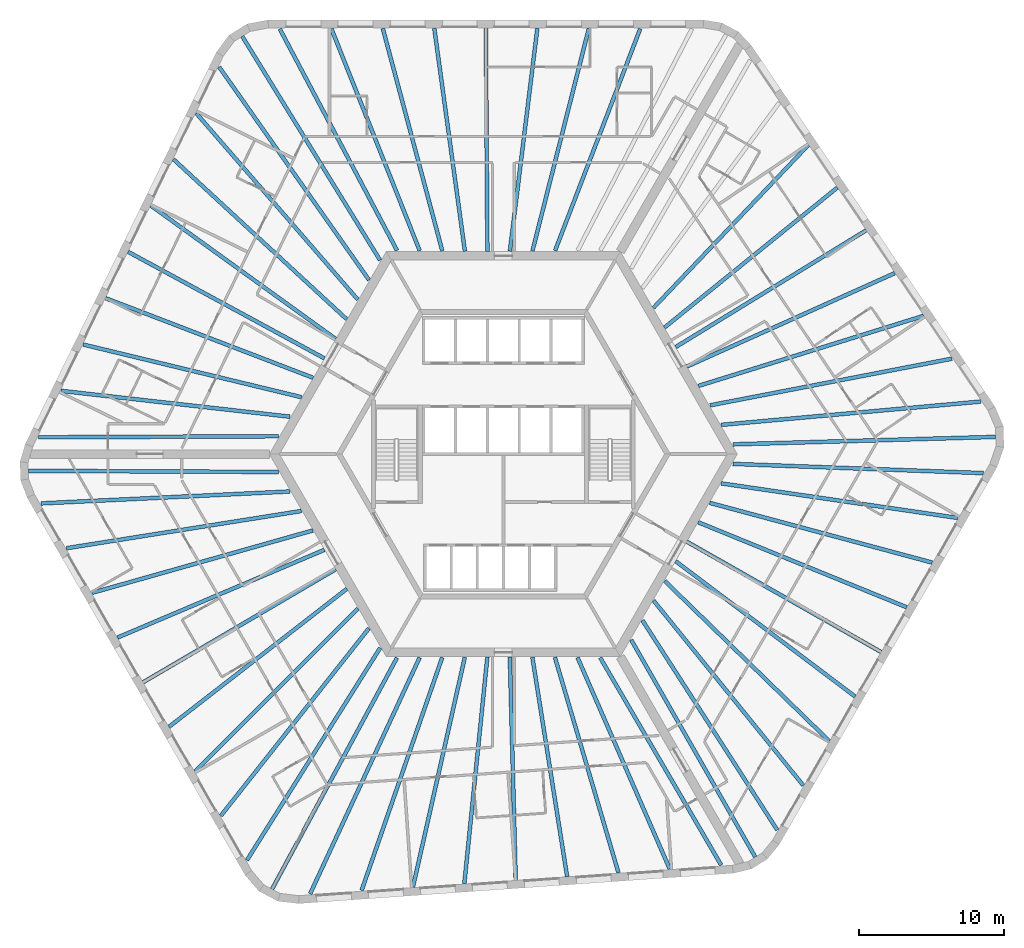
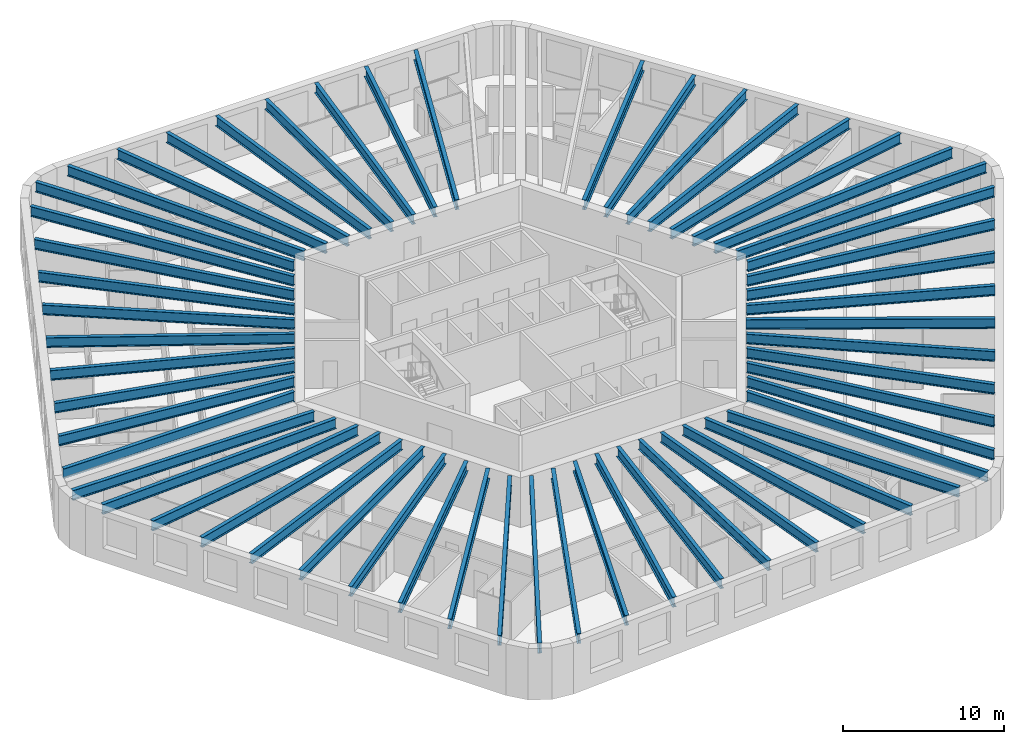
# One storey, part 1 of 12: 56 beams.
"""IFC4 building model written with IfcOpenShell, lengths in metres."""

from ifc_helpers import new_model, si_unit, direction, frame, origin, origin_2d, place, context, subcontext, project, spatial, i_section, extrude, material, material_profile, profile_set, type_object, element, save


model = new_model("IFC4")

# Units and contexts
model_context = context("Model", 3, precision=1e-05, world=origin(), true_north=direction((0.0, 1.0)))
body_context = subcontext(model_context, "Body", "Model", "MODEL_VIEW")
ifc_project = project(units=[si_unit("LENGTHUNIT", "METRE"), si_unit("AREAUNIT", "SQUARE_METRE"), si_unit("VOLUMEUNIT", "CUBIC_METRE"), si_unit("PLANEANGLEUNIT", "RADIAN"), si_unit("MASSUNIT", "GRAM", prefix="KILO")], contexts=[model_context])

# Site, building, storey
site_placement = place(None, origin())
site = spatial("IfcSite", under=ifc_project, at=site_placement, CompositionType="ELEMENT")
building_placement = place(site_placement, origin())
building = spatial("IfcBuilding", under=site, at=building_placement, Name="Tarnside Tower", CompositionType="ELEMENT")
storey_placement = place(building_placement, frame((0.0, 0.0, 76.5)))
storey = spatial("IfcBuildingStorey", under=building, at=storey_placement, Name="L16", CompositionType="ELEMENT", Elevation=76.5)

# Beams
ifc_material = material(Name="Steel S355", Category="steel")
ifc_material_profile_1 = material_profile(ifc_material, i_section(OverallWidth=0.26513671875, OverallDepth=0.75390625, WebThickness=0.0126953125, FlangeThickness=0.017578125, FilletRadius=0.0166015625, at=origin_2d()), Name="UB 762x267x147")
ifc_profile_set_1 = profile_set([ifc_material_profile_1], Name="Steel S355")
beam_type_1 = type_object("IfcBeamType", Name="Floor beam UB 762x267x147", PredefinedType="BEAM", material=ifc_profile_set_1)
beam_1_placement = place(storey_placement, frame((2.3525390625, 29.43017578125, 3.373046875), z_axis=(-0.122329629165, -0.992489527314, 0.0), x_axis=(0.992489527314, -0.122329629165, 0.0)))
element("IfcBeam", 1, at=beam_1_placement, inside=storey, type_object=beam_type_1, Name="Floor beam F1.04", PredefinedType="BEAM", context=body_context, shape_type="SweptSolid", body=[
    extrude(i_section(OverallWidth=0.26513671875, OverallDepth=0.75390625, WebThickness=0.0126953125, FlangeThickness=0.017578125, FilletRadius=0.0166015625, at=origin_2d()), origin(), (0.0, 0.0, 1.0), 15.527099609375),
])
beam_2_placement = place(storey_placement, frame((-1.208984375, 29.449951171875, 3.373046875), z_axis=(0.007000128723, -0.999975498799, 0.0), x_axis=(0.999975498799, 0.007000128723, 0.0)))
element("IfcBeam", 2, at=beam_2_placement, inside=storey, type_object=beam_type_1, Name="Floor beam F1.05", PredefinedType="BEAM", context=body_context, shape_type="SweptSolid", body=[
    extrude(i_section(OverallWidth=0.26513671875, OverallDepth=0.75390625, WebThickness=0.0126953125, FlangeThickness=0.017578125, FilletRadius=0.0166015625, at=origin_2d()), origin(), (0.0, 0.0, 1.0), 15.450439453125),
])
beam_3_placement = place(storey_placement, frame((-4.7705078125, 29.43017578125, 3.373046875), z_axis=(0.136000560933, -0.990708760144, 0.0), x_axis=(0.990708760144, 0.136000560933, 0.0)))
element("IfcBeam", 3, at=beam_3_placement, inside=storey, type_object=beam_type_1, Name="Floor beam F1.06", PredefinedType="BEAM", context=body_context, shape_type="SweptSolid", body=[
    extrude(i_section(OverallWidth=0.26513671875, OverallDepth=0.75390625, WebThickness=0.0126953125, FlangeThickness=0.017578125, FilletRadius=0.0166015625, at=origin_2d()), origin(), (0.0, 0.0, 1.0), 15.554931640625),
])
beam_4_placement = place(storey_placement, frame((-24.348876953125, 17.168212890625, 3.373046875), z_axis=(0.811027744825, -0.585007689799, 0.0), x_axis=(0.585007689799, 0.811027744825, 0.0)))
element("IfcBeam", 4, at=beam_4_placement, inside=storey, type_object=beam_type_1, Name="Floor beam F2.04", PredefinedType="BEAM", context=body_context, shape_type="SweptSolid", body=[
    extrude(i_section(OverallWidth=0.26513671875, OverallDepth=0.75390625, WebThickness=0.0126953125, FlangeThickness=0.017578125, FilletRadius=0.0166015625, at=origin_2d()), origin(), (0.0, 0.0, 1.0), 15.731689453125),
])
beam_5_placement = place(storey_placement, frame((-25.92626953125, 13.978271484375, 3.373046875), z_axis=(0.878894567679, -0.477016078245, 0.0), x_axis=(0.477016078245, 0.878894567679, 0.0)))
element("IfcBeam", 5, at=beam_5_placement, inside=storey, type_object=beam_type_1, Name="Floor beam F2.05", PredefinedType="BEAM", context=body_context, shape_type="SweptSolid", body=[
    extrude(i_section(OverallWidth=0.26513671875, OverallDepth=0.75390625, WebThickness=0.0126953125, FlangeThickness=0.017578125, FilletRadius=0.0166015625, at=origin_2d()), origin(), (0.0, 0.0, 1.0), 15.427490234375),
])
beam_6_placement = place(storey_placement, frame((-27.487548828125, 10.77734375, 3.373046875), z_axis=(0.933617702452, -0.358270827264, 0.0), x_axis=(0.358270827264, 0.933617702452, 0.0)))
element("IfcBeam", 6, at=beam_6_placement, inside=storey, type_object=beam_type_1, Name="Floor beam F2.06", PredefinedType="BEAM", context=body_context, shape_type="SweptSolid", body=[
    extrude(i_section(OverallWidth=0.26513671875, OverallDepth=0.75390625, WebThickness=0.0126953125, FlangeThickness=0.017578125, FilletRadius=0.0166015625, at=origin_2d()), origin(), (0.0, 0.0, 1.0), 15.363037109375),
])
beam_7_placement = place(storey_placement, frame((-29.029296875, 7.572509765625, 3.373046875), z_axis=(0.972101750991, -0.234559556873, 0.0), x_axis=(0.234559556873, 0.972101750991, 0.0)))
element("IfcBeam", 7, at=beam_7_placement, inside=storey, type_object=beam_type_1, Name="Floor beam F2.07", PredefinedType="BEAM", context=body_context, shape_type="SweptSolid", body=[
    extrude(i_section(OverallWidth=0.26513671875, OverallDepth=0.75390625, WebThickness=0.0126953125, FlangeThickness=0.017578125, FilletRadius=0.0166015625, at=origin_2d()), origin(), (0.0, 0.0, 1.0), 15.522216796875),
])
beam_8_placement = place(storey_placement, frame((-26.66357421875, -12.677734375, 3.373046875), z_axis=(0.920684021494, 0.390308765679, 0.0), x_axis=(-0.390308765679, 0.920684021494, 0.0)))
element("IfcBeam", 8, at=beam_8_placement, inside=storey, type_object=beam_type_1, Name="Floor beam F3.04", PredefinedType="BEAM", context=body_context, shape_type="SweptSolid", body=[
    extrude(i_section(OverallWidth=0.26513671875, OverallDepth=0.75390625, WebThickness=0.0126953125, FlangeThickness=0.017578125, FilletRadius=0.0166015625, at=origin_2d()), origin(), (0.0, 0.0, 1.0), 15.52685546875),
])
beam_9_placement = place(storey_placement, frame((-24.89990234375, -15.772216796875, 3.373046875), z_axis=(0.862497502004, 0.506061319443, 0.0), x_axis=(-0.506061319443, 0.862497502004, 0.0)))
element("IfcBeam", 9, at=beam_9_placement, inside=storey, type_object=beam_type_1, Name="Floor beam F3.05", PredefinedType="BEAM", context=body_context, shape_type="SweptSolid", body=[
    extrude(i_section(OverallWidth=0.26513671875, OverallDepth=0.75390625, WebThickness=0.0126953125, FlangeThickness=0.017578125, FilletRadius=0.0166015625, at=origin_2d()), origin(), (0.0, 0.0, 1.0), 15.450439453125),
])
beam_10_placement = place(storey_placement, frame((-23.10205078125, -18.846435546875, 3.373046875), z_axis=(0.789983963813, 0.613127504617, 0.0), x_axis=(-0.613127504617, 0.789983963813, 0.0)))
element("IfcBeam", 10, at=beam_10_placement, inside=storey, type_object=beam_type_1, Name="Floor beam F3.06", PredefinedType="BEAM", context=body_context, shape_type="SweptSolid", body=[
    extrude(i_section(OverallWidth=0.26513671875, OverallDepth=0.75390625, WebThickness=0.0126953125, FlangeThickness=0.017578125, FilletRadius=0.0166015625, at=origin_2d()), origin(), (0.0, 0.0, 1.0), 15.554931640625),
])
beam_11_placement = place(storey_placement, frame((-2.693603515625, -29.6708984375, 3.373046875), z_axis=(0.101123115756, 0.994873919379, 0.0), x_axis=(-0.994873919379, 0.101123115756, 0.0)))
element("IfcBeam", 11, at=beam_11_placement, inside=storey, type_object=beam_type_1, Name="Floor beam F4.04", PredefinedType="BEAM", context=body_context, shape_type="SweptSolid", body=[
    extrude(i_section(OverallWidth=0.26513671875, OverallDepth=0.75390625, WebThickness=0.0126953125, FlangeThickness=0.017578125, FilletRadius=0.0166015625, at=origin_2d()), origin(), (0.0, 0.0, 1.0), 15.7314453125),
])
beam_12_placement = place(storey_placement, frame((0.857666015625, -29.44189453125, 3.373046875), z_axis=(-0.026333316788, 0.999653218085, 0.0), x_axis=(-0.999653218085, -0.026333316788, 0.0)))
element("IfcBeam", 12, at=beam_12_placement, inside=storey, type_object=beam_type_1, Name="Floor beam F4.05", PredefinedType="BEAM", context=body_context, shape_type="SweptSolid", body=[
    extrude(i_section(OverallWidth=0.26513671875, OverallDepth=0.75390625, WebThickness=0.0126953125, FlangeThickness=0.017578125, FilletRadius=0.0166015625, at=origin_2d()), origin(), (0.0, 0.0, 1.0), 15.42724609375),
])
beam_13_placement = place(storey_placement, frame((4.41015625, -29.193603515625, 3.373046875), z_axis=(-0.156513375907, 0.98767583911, 0.0), x_axis=(-0.98767583911, -0.156513375907, 0.0)))
element("IfcBeam", 13, at=beam_13_placement, inside=storey, type_object=beam_type_1, Name="Floor beam F4.06", PredefinedType="BEAM", context=body_context, shape_type="SweptSolid", body=[
    extrude(i_section(OverallWidth=0.26513671875, OverallDepth=0.75390625, WebThickness=0.0126953125, FlangeThickness=0.017578125, FilletRadius=0.0166015625, at=origin_2d()), origin(), (0.0, 0.0, 1.0), 15.36328125),
])
beam_14_placement = place(storey_placement, frame((7.956787109375, -28.926513671875, 3.373046875), z_axis=(-0.282920694328, 0.959143305623, 0.0), x_axis=(-0.959143305623, -0.282920694328, 0.0)))
element("IfcBeam", 14, at=beam_14_placement, inside=storey, type_object=beam_type_1, Name="Floor beam F4.07", PredefinedType="BEAM", context=body_context, shape_type="SweptSolid", body=[
    extrude(i_section(OverallWidth=0.26513671875, OverallDepth=0.75390625, WebThickness=0.0126953125, FlangeThickness=0.017578125, FilletRadius=0.0166015625, at=origin_2d()), origin(), (0.0, 0.0, 1.0), 15.5224609375),
])
beam_15_placement = place(storey_placement, frame((24.31103515625, -16.75244140625, 3.373046875), z_axis=(-0.798361152727, 0.602178935049, 0.0), x_axis=(-0.602178935049, -0.798361152727, 0.0)))
element("IfcBeam", 15, at=beam_15_placement, inside=storey, type_object=beam_type_1, Name="Floor beam F5.04", PredefinedType="BEAM", context=body_context, shape_type="SweptSolid", body=[
    extrude(i_section(OverallWidth=0.26513671875, OverallDepth=0.75390625, WebThickness=0.0126953125, FlangeThickness=0.017578125, FilletRadius=0.0166015625, at=origin_2d()), origin(), (0.0, 0.0, 1.0), 15.527099609375),
])
beam_16_placement = place(storey_placement, frame((26.10888671875, -13.677978515625, 3.373046875), z_axis=(-0.869502520992, 0.493928502911, 0.0), x_axis=(-0.493928502911, -0.869502520992, 0.0)))
element("IfcBeam", 16, at=beam_16_placement, inside=storey, type_object=beam_type_1, Name="Floor beam F5.05", PredefinedType="BEAM", context=body_context, shape_type="SweptSolid", body=[
    extrude(i_section(OverallWidth=0.26513671875, OverallDepth=0.75390625, WebThickness=0.0126953125, FlangeThickness=0.017578125, FilletRadius=0.0166015625, at=origin_2d()), origin(), (0.0, 0.0, 1.0), 15.4501953125),
])
beam_17_placement = place(storey_placement, frame((27.87255859375, -10.58349609375, 3.373046875), z_axis=(-0.925981621163, 0.377568586177, 0.0), x_axis=(-0.377568586177, -0.925981621163, 0.0)))
element("IfcBeam", 17, at=beam_17_placement, inside=storey, type_object=beam_type_1, Name="Floor beam F5.06", PredefinedType="BEAM", context=body_context, shape_type="SweptSolid", body=[
    extrude(i_section(OverallWidth=0.26513671875, OverallDepth=0.75390625, WebThickness=0.0126953125, FlangeThickness=0.017578125, FilletRadius=0.0166015625, at=origin_2d()), origin(), (0.0, 0.0, 1.0), 15.554931640625),
])
beam_18_placement = place(storey_placement, frame((27.04248046875, 12.502685546875, 3.373046875), z_axis=(-0.912146413919, -0.409864513681, 0.0), x_axis=(0.409864513681, -0.912146413919, 0.0)))
element("IfcBeam", 18, at=beam_18_placement, inside=storey, type_object=beam_type_1, Name="Floor beam F6.04", PredefinedType="BEAM", context=body_context, shape_type="SweptSolid", body=[
    extrude(i_section(OverallWidth=0.26513671875, OverallDepth=0.75390625, WebThickness=0.0126953125, FlangeThickness=0.017578125, FilletRadius=0.0166015625, at=origin_2d()), origin(), (0.0, 0.0, 1.0), 15.7314453125),
])
beam_19_placement = place(storey_placement, frame((25.068603515625, 15.463623046875, 3.373046875), z_axis=(-0.852558490017, -0.522631821744, 0.0), x_axis=(0.522631821744, -0.852558490017, 0.0)))
element("IfcBeam", 19, at=beam_19_placement, inside=storey, type_object=beam_type_1, Name="Floor beam F6.05", PredefinedType="BEAM", context=body_context, shape_type="SweptSolid", body=[
    extrude(i_section(OverallWidth=0.26513671875, OverallDepth=0.75390625, WebThickness=0.0126953125, FlangeThickness=0.017578125, FilletRadius=0.0166015625, at=origin_2d()), origin(), (0.0, 0.0, 1.0), 15.42724609375),
])
beam_20_placement = place(storey_placement, frame((23.0771484375, 18.416259765625, 3.373046875), z_axis=(-0.777079423039, -0.629402550272, 0.0), x_axis=(0.629402550272, -0.777079423039, 0.0)))
element("IfcBeam", 20, at=beam_20_placement, inside=storey, type_object=beam_type_1, Name="Floor beam F6.06", PredefinedType="BEAM", context=body_context, shape_type="SweptSolid", body=[
    extrude(i_section(OverallWidth=0.26513671875, OverallDepth=0.75390625, WebThickness=0.0126953125, FlangeThickness=0.017578125, FilletRadius=0.0166015625, at=origin_2d()), origin(), (0.0, 0.0, 1.0), 15.36328125),
])
beam_21_placement = place(storey_placement, frame((21.072509765625, 21.35400390625, 3.373046875), z_axis=(-0.689174694318, -0.724595225427, 0.0), x_axis=(0.724595225427, -0.689174694318, 0.0)))
element("IfcBeam", 21, at=beam_21_placement, inside=storey, type_object=beam_type_1, Name="Floor beam F6.07", PredefinedType="BEAM", context=body_context, shape_type="SweptSolid", body=[
    extrude(i_section(OverallWidth=0.26513671875, OverallDepth=0.75390625, WebThickness=0.0126953125, FlangeThickness=0.017578125, FilletRadius=0.0166015625, at=origin_2d()), origin(), (0.0, 0.0, 1.0), 15.522216796875),
])
ifc_material_profile_2 = material_profile(ifc_material, i_section(OverallWidth=0.2666015625, OverallDepth=0.76220703125, WebThickness=0.014404296875, FlangeThickness=0.021484375, FilletRadius=0.0166015625, at=origin_2d()), Name="UB 762x267x173")
ifc_profile_set_2 = profile_set([ifc_material_profile_2], Name="Steel S355")
beam_type_2 = type_object("IfcBeamType", Name="Floor beam UB 762x267x173", PredefinedType="BEAM", material=ifc_profile_set_2)
beam_22_placement = place(storey_placement, frame((9.4619140625, 29.39404296875, 3.368896484375), z_axis=(-0.358299847269, -0.933606565662, 0.0), x_axis=(0.933606565662, -0.358299847269, 0.0)))
element("IfcBeam", 22, at=beam_22_placement, inside=storey, type_object=beam_type_2, Name="Floor beam F1.02", PredefinedType="BEAM", context=body_context, shape_type="SweptSolid", body=[
    extrude(i_section(OverallWidth=0.2666015625, OverallDepth=0.76220703125, WebThickness=0.014404296875, FlangeThickness=0.021484375, FilletRadius=0.0166015625, at=origin_2d()), origin(), (0.0, 0.0, 1.0), 16.428955078125),
])
beam_23_placement = place(storey_placement, frame((5.909423828125, 29.4111328125, 3.368896484375), z_axis=(-0.245747281389, -0.969333933013, 0.0), x_axis=(0.969333933013, -0.245747281389, 0.0)))
element("IfcBeam", 23, at=beam_23_placement, inside=storey, type_object=beam_type_2, Name="Floor beam F1.03", PredefinedType="BEAM", context=body_context, shape_type="SweptSolid", body=[
    extrude(i_section(OverallWidth=0.2666015625, OverallDepth=0.76220703125, WebThickness=0.014404296875, FlangeThickness=0.021484375, FilletRadius=0.0166015625, at=origin_2d()), origin(), (0.0, 0.0, 1.0), 15.858642578125),
])
beam_24_placement = place(storey_placement, frame((-8.3271484375, 29.411376953125, 3.368896484375), z_axis=(0.258447478572, -0.966025310652, 0.0), x_axis=(0.966025310652, 0.258447478572, 0.0)))
element("IfcBeam", 24, at=beam_24_placement, inside=storey, type_object=beam_type_2, Name="Floor beam F1.07", PredefinedType="BEAM", context=body_context, shape_type="SweptSolid", body=[
    extrude(i_section(OverallWidth=0.2666015625, OverallDepth=0.76220703125, WebThickness=0.014404296875, FlangeThickness=0.021484375, FilletRadius=0.0166015625, at=origin_2d()), origin(), (0.0, 0.0, 1.0), 15.91357421875),
])
beam_25_placement = place(storey_placement, frame((-11.87939453125, 29.394287109375, 3.368896484375), z_axis=(0.369638204477, -0.929175762593, 0.0), x_axis=(0.929175762593, 0.369638204477, 0.0)))
element("IfcBeam", 25, at=beam_25_placement, inside=storey, type_object=beam_type_2, Name="Floor beam F1.08", PredefinedType="BEAM", context=body_context, shape_type="SweptSolid", body=[
    extrude(i_section(OverallWidth=0.2666015625, OverallDepth=0.76220703125, WebThickness=0.014404296875, FlangeThickness=0.021484375, FilletRadius=0.0166015625, at=origin_2d()), origin(), (0.0, 0.0, 1.0), 16.507568359375),
])
beam_26_placement = place(storey_placement, frame((-15.44580078125, 29.37939453125, 3.368896484375), z_axis=(0.467741993634, -0.883865050441, 0.0), x_axis=(0.883865050441, 0.467741993634, 0.0)))
element("IfcBeam", 26, at=beam_26_placement, inside=storey, type_object=beam_type_2, Name="Floor beam F1.09", PredefinedType="BEAM", context=body_context, shape_type="SweptSolid", body=[
    extrude(i_section(OverallWidth=0.2666015625, OverallDepth=0.76220703125, WebThickness=0.014404296875, FlangeThickness=0.021484375, FilletRadius=0.0166015625, at=origin_2d()), origin(), (0.0, 0.0, 1.0), 17.320068359375),
])
beam_27_placement = place(storey_placement, frame((-18.042236328125, 28.8701171875, 3.368896484375), z_axis=(0.524382977035, -0.851482526771, 0.0), x_axis=(0.851482526771, 0.524382977035, 0.0)))
element("IfcBeam", 27, at=beam_27_placement, inside=storey, type_object=beam_type_2, Name="Floor beam C1", PredefinedType="BEAM", context=body_context, shape_type="SweptSolid", body=[
    extrude(i_section(OverallWidth=0.2666015625, OverallDepth=0.76220703125, WebThickness=0.014404296875, FlangeThickness=0.021484375, FilletRadius=0.0166015625, at=origin_2d()), origin(), (0.0, 0.0, 1.0), 18.1728515625),
])
beam_28_placement = place(storey_placement, frame((-19.638671875, 26.75537109375, 3.368896484375), z_axis=(0.575411427849, -0.817864101609, 0.0), x_axis=(0.817864101609, 0.575411427849, 0.0)))
element("IfcBeam", 28, at=beam_28_placement, inside=storey, type_object=beam_type_2, Name="Floor beam F2.01", PredefinedType="BEAM", context=body_context, shape_type="SweptSolid", body=[
    extrude(i_section(OverallWidth=0.2666015625, OverallDepth=0.76220703125, WebThickness=0.014404296875, FlangeThickness=0.021484375, FilletRadius=0.0166015625, at=origin_2d()), origin(), (0.0, 0.0, 1.0), 18.00048828125),
])
beam_29_placement = place(storey_placement, frame((-21.21630859375, 23.554931640625, 3.368896484375), z_axis=(0.654980748073, -0.755645564834, 0.0), x_axis=(0.755645564834, 0.654980748073, 0.0)))
element("IfcBeam", 29, at=beam_29_placement, inside=storey, type_object=beam_type_2, Name="Floor beam F2.02", PredefinedType="BEAM", context=body_context, shape_type="SweptSolid", body=[
    extrude(i_section(OverallWidth=0.2666015625, OverallDepth=0.76220703125, WebThickness=0.014404296875, FlangeThickness=0.021484375, FilletRadius=0.0166015625, at=origin_2d()), origin(), (0.0, 0.0, 1.0), 17.0302734375),
])
beam_30_placement = place(storey_placement, frame((-22.7890625, 20.368408203125, 3.368896484375), z_axis=(0.734715474517, -0.678375391288, 0.0), x_axis=(0.678375391288, 0.734715474517, 0.0)))
element("IfcBeam", 30, at=beam_30_placement, inside=storey, type_object=beam_type_2, Name="Floor beam F2.03", PredefinedType="BEAM", context=body_context, shape_type="SweptSolid", body=[
    extrude(i_section(OverallWidth=0.2666015625, OverallDepth=0.76220703125, WebThickness=0.014404296875, FlangeThickness=0.021484375, FilletRadius=0.0166015625, at=origin_2d()), origin(), (0.0, 0.0, 1.0), 16.2802734375),
])
beam_31_placement = place(storey_placement, frame((-30.570556640625, 4.372802734375, 3.368896484375), z_axis=(0.993687302776, -0.112185312326, 0.0), x_axis=(0.112185312326, 0.993687302776, 0.0)))
element("IfcBeam", 31, at=beam_31_placement, inside=storey, type_object=beam_type_2, Name="Floor beam F2.08", PredefinedType="BEAM", context=body_context, shape_type="SweptSolid", body=[
    extrude(i_section(OverallWidth=0.2666015625, OverallDepth=0.76220703125, WebThickness=0.014404296875, FlangeThickness=0.021484375, FilletRadius=0.0166015625, at=origin_2d()), origin(), (0.0, 0.0, 1.0), 15.934326171875),
])
beam_32_placement = place(storey_placement, frame((-32.119384765625, 1.162109375, 3.368896484375), z_axis=(0.999990508787, 0.004356872304, 0.0), x_axis=(-0.004356872304, 0.999990508787, 0.0)))
element("IfcBeam", 32, at=beam_32_placement, inside=storey, type_object=beam_type_2, Name="Floor beam F2.09", PredefinedType="BEAM", context=body_context, shape_type="SweptSolid", body=[
    extrude(i_section(OverallWidth=0.2666015625, OverallDepth=0.76220703125, WebThickness=0.014404296875, FlangeThickness=0.021484375, FilletRadius=0.0166015625, at=origin_2d()), origin(), (0.0, 0.0, 1.0), 16.586669921875),
])
beam_33_placement = place(storey_placement, frame((-32.80712890625, -1.1572265625, 3.368896484375), z_axis=(0.999990027056, -0.004466070929, 0.0), x_axis=(0.004466070929, 0.999990027056, 0.0)))
element("IfcBeam", 33, at=beam_33_placement, inside=storey, type_object=beam_type_2, Name="Floor beam C2", PredefinedType="BEAM", context=body_context, shape_type="SweptSolid", body=[
    extrude(i_section(OverallWidth=0.2666015625, OverallDepth=0.76220703125, WebThickness=0.014404296875, FlangeThickness=0.021484375, FilletRadius=0.0166015625, at=origin_2d()), origin(), (0.0, 0.0, 1.0), 17.2744140625),
])
beam_34_placement = place(storey_placement, frame((-31.95703125, -3.406494140625, 3.368896484375), z_axis=(0.998853818522, 0.047864905982, 0.0), x_axis=(-0.047864905982, 0.998853818522, 0.0)))
element("IfcBeam", 34, at=beam_34_placement, inside=storey, type_object=beam_type_2, Name="Floor beam F3.01", PredefinedType="BEAM", context=body_context, shape_type="SweptSolid", body=[
    extrude(i_section(OverallWidth=0.2666015625, OverallDepth=0.76220703125, WebThickness=0.014404296875, FlangeThickness=0.021484375, FilletRadius=0.0166015625, at=origin_2d()), origin(), (0.0, 0.0, 1.0), 17.2197265625),
])
beam_35_placement = place(storey_placement, frame((-30.18701171875, -6.502685546875, 3.368896484375), z_axis=(0.987678477078, 0.156496728136, 0.0), x_axis=(-0.156496728136, 0.987678477078, 0.0)))
element("IfcBeam", 35, at=beam_35_placement, inside=storey, type_object=beam_type_2, Name="Floor beam F3.02", PredefinedType="BEAM", context=body_context, shape_type="SweptSolid", body=[
    extrude(i_section(OverallWidth=0.2666015625, OverallDepth=0.76220703125, WebThickness=0.014404296875, FlangeThickness=0.021484375, FilletRadius=0.0166015625, at=origin_2d()), origin(), (0.0, 0.0, 1.0), 16.4287109375),
])
beam_36_placement = place(storey_placement, frame((-28.425537109375, -9.587890625, 3.368896484375), z_axis=(0.962342240503, 0.271840784547, 0.0), x_axis=(-0.271840784547, 0.962342240503, 0.0)))
element("IfcBeam", 36, at=beam_36_placement, inside=storey, type_object=beam_type_2, Name="Floor beam F3.03", PredefinedType="BEAM", context=body_context, shape_type="SweptSolid", body=[
    extrude(i_section(OverallWidth=0.2666015625, OverallDepth=0.76220703125, WebThickness=0.014404296875, FlangeThickness=0.021484375, FilletRadius=0.0166015625, at=origin_2d()), origin(), (0.0, 0.0, 1.0), 15.858642578125),
])
beam_37_placement = place(storey_placement, frame((-21.307373046875, -21.917236328125, 3.368896484375), z_axis=(0.707367544857, 0.706845921318, 0.0), x_axis=(-0.706845921318, 0.707367544857, 0.0)))
element("IfcBeam", 37, at=beam_37_placement, inside=storey, type_object=beam_type_2, Name="Floor beam F3.07", PredefinedType="BEAM", context=body_context, shape_type="SweptSolid", body=[
    extrude(i_section(OverallWidth=0.2666015625, OverallDepth=0.76220703125, WebThickness=0.014404296875, FlangeThickness=0.021484375, FilletRadius=0.0166015625, at=origin_2d()), origin(), (0.0, 0.0, 1.0), 15.913330078125),
])
beam_38_placement = place(storey_placement, frame((-19.516357421875, -24.985107421875, 3.368896484375), z_axis=(0.619872995007, 0.784702153725, 0.0), x_axis=(-0.784702153725, 0.619872995007, 0.0)))
element("IfcBeam", 38, at=beam_38_placement, inside=storey, type_object=beam_type_2, Name="Floor beam F3.08", PredefinedType="BEAM", context=body_context, shape_type="SweptSolid", body=[
    extrude(i_section(OverallWidth=0.2666015625, OverallDepth=0.76220703125, WebThickness=0.014404296875, FlangeThickness=0.021484375, FilletRadius=0.0166015625, at=origin_2d()), origin(), (0.0, 0.0, 1.0), 16.507568359375),
])
beam_39_placement = place(storey_placement, frame((-17.72021484375, -28.066162109375, 3.368896484375), z_axis=(0.531583085704, 0.847006152866, 0.0), x_axis=(-0.847006152866, 0.531583085704, 0.0)))
element("IfcBeam", 39, at=beam_39_placement, inside=storey, type_object=beam_type_2, Name="Floor beam F3.09", PredefinedType="BEAM", context=body_context, shape_type="SweptSolid", body=[
    extrude(i_section(OverallWidth=0.2666015625, OverallDepth=0.76220703125, WebThickness=0.014404296875, FlangeThickness=0.021484375, FilletRadius=0.0166015625, at=origin_2d()), origin(), (0.0, 0.0, 1.0), 17.320068359375),
])
beam_40_placement = place(storey_placement, frame((-15.981201171875, -30.060302734375, 3.368896484375), z_axis=(0.475208200571, 0.879873380726, 0.0), x_axis=(-0.879873380726, 0.475208200571, 0.0)))
element("IfcBeam", 40, at=beam_40_placement, inside=storey, type_object=beam_type_2, Name="Floor beam C3", PredefinedType="BEAM", context=body_context, shape_type="SweptSolid", body=[
    extrude(i_section(OverallWidth=0.2666015625, OverallDepth=0.76220703125, WebThickness=0.014404296875, FlangeThickness=0.021484375, FilletRadius=0.0166015625, at=origin_2d()), origin(), (0.0, 0.0, 1.0), 18.173095703125),
])
beam_41_placement = place(storey_placement, frame((-13.3515625, -30.38525390625, 3.368896484375), z_axis=(0.42059199668, 0.907249895193, 0.0), x_axis=(-0.907249895193, 0.42059199668, 0.0)))
element("IfcBeam", 41, at=beam_41_placement, inside=storey, type_object=beam_type_2, Name="Floor beam F4.01", PredefinedType="BEAM", context=body_context, shape_type="SweptSolid", body=[
    extrude(i_section(OverallWidth=0.2666015625, OverallDepth=0.76220703125, WebThickness=0.014404296875, FlangeThickness=0.021484375, FilletRadius=0.0166015625, at=origin_2d()), origin(), (0.0, 0.0, 1.0), 18.000244140625),
])
beam_42_placement = place(storey_placement, frame((-9.791015625, -30.151123046875, 3.368896484375), z_axis=(0.326912128872, 0.945054739153, 0.0), x_axis=(-0.945054739153, 0.326912128872, 0.0)))
element("IfcBeam", 42, at=beam_42_placement, inside=storey, type_object=beam_type_2, Name="Floor beam F4.02", PredefinedType="BEAM", context=body_context, shape_type="SweptSolid", body=[
    extrude(i_section(OverallWidth=0.2666015625, OverallDepth=0.76220703125, WebThickness=0.014404296875, FlangeThickness=0.021484375, FilletRadius=0.0166015625, at=origin_2d()), origin(), (0.0, 0.0, 1.0), 17.0302734375),
])
beam_43_placement = place(storey_placement, frame((-6.2451171875, -29.920166015625, 3.368896484375), z_axis=(0.220139818673, 0.975468328668, 0.0), x_axis=(-0.975468328668, 0.220139818673, 0.0)))
element("IfcBeam", 43, at=beam_43_placement, inside=storey, type_object=beam_type_2, Name="Floor beam F4.03", PredefinedType="BEAM", context=body_context, shape_type="SweptSolid", body=[
    extrude(i_section(OverallWidth=0.2666015625, OverallDepth=0.76220703125, WebThickness=0.014404296875, FlangeThickness=0.021484375, FilletRadius=0.0166015625, at=origin_2d()), origin(), (0.0, 0.0, 1.0), 16.280517578125),
])
beam_44_placement = place(storey_placement, frame((11.498291015625, -28.6611328125, 3.368896484375), z_axis=(-0.399695682658, 0.916647893831, 0.0), x_axis=(-0.916647893831, -0.399695682658, 0.0)))
element("IfcBeam", 44, at=beam_44_placement, inside=storey, type_object=beam_type_2, Name="Floor beam F4.08", PredefinedType="BEAM", context=body_context, shape_type="SweptSolid", body=[
    extrude(i_section(OverallWidth=0.2666015625, OverallDepth=0.76220703125, WebThickness=0.014404296875, FlangeThickness=0.021484375, FilletRadius=0.0166015625, at=origin_2d()), origin(), (0.0, 0.0, 1.0), 15.934326171875),
])
beam_45_placement = place(storey_placement, frame((15.05322265625, -28.3974609375, 3.368896484375), z_axis=(-0.503758455062, 0.86384455717, 0.0), x_axis=(-0.86384455717, -0.503758455062, 0.0)))
element("IfcBeam", 45, at=beam_45_placement, inside=storey, type_object=beam_type_2, Name="Floor beam F4.09", PredefinedType="BEAM", context=body_context, shape_type="SweptSolid", body=[
    extrude(i_section(OverallWidth=0.2666015625, OverallDepth=0.76220703125, WebThickness=0.014404296875, FlangeThickness=0.021484375, FilletRadius=0.0166015625, at=origin_2d()), origin(), (0.0, 0.0, 1.0), 16.586669921875),
])
beam_46_placement = place(storey_placement, frame((17.40576171875, -27.833251953125, 3.368896484375), z_axis=(-0.496126762138, 0.868250099851, 0.0), x_axis=(-0.868250099851, -0.496126762138, 0.0)))
element("IfcBeam", 46, at=beam_46_placement, inside=storey, type_object=beam_type_2, Name="Floor beam C4", PredefinedType="BEAM", context=body_context, shape_type="SweptSolid", body=[
    extrude(i_section(OverallWidth=0.2666015625, OverallDepth=0.76220703125, WebThickness=0.014404296875, FlangeThickness=0.021484375, FilletRadius=0.0166015625, at=origin_2d()), origin(), (0.0, 0.0, 1.0), 17.2744140625),
])
beam_47_placement = place(storey_placement, frame((18.9287109375, -25.972412109375, 3.368896484375), z_axis=(-0.540872954463, 0.841104302171, 0.0), x_axis=(-0.841104302171, -0.540872954463, 0.0)))
element("IfcBeam", 47, at=beam_47_placement, inside=storey, type_object=beam_type_2, Name="Floor beam F5.01", PredefinedType="BEAM", context=body_context, shape_type="SweptSolid", body=[
    extrude(i_section(OverallWidth=0.2666015625, OverallDepth=0.76220703125, WebThickness=0.014404296875, FlangeThickness=0.021484375, FilletRadius=0.0166015625, at=origin_2d()), origin(), (0.0, 0.0, 1.0), 17.2197265625),
])
beam_48_placement = place(storey_placement, frame((20.72509765625, -22.89111328125, 3.368896484375), z_axis=(-0.62939015525, 0.777089462336, 0.0), x_axis=(-0.777089462336, -0.62939015525, 0.0)))
element("IfcBeam", 48, at=beam_48_placement, inside=storey, type_object=beam_type_2, Name="Floor beam F5.02", PredefinedType="BEAM", context=body_context, shape_type="SweptSolid", body=[
    extrude(i_section(OverallWidth=0.2666015625, OverallDepth=0.76220703125, WebThickness=0.014404296875, FlangeThickness=0.021484375, FilletRadius=0.0166015625, at=origin_2d()), origin(), (0.0, 0.0, 1.0), 16.4287109375),
])
beam_49_placement = place(storey_placement, frame((22.51611328125, -19.8232421875, 3.368896484375), z_axis=(-0.716594696052, 0.697489814686, 0.0), x_axis=(-0.697489814686, -0.716594696052, 0.0)))
element("IfcBeam", 49, at=beam_49_placement, inside=storey, type_object=beam_type_2, Name="Floor beam F5.03", PredefinedType="BEAM", context=body_context, shape_type="SweptSolid", body=[
    extrude(i_section(OverallWidth=0.2666015625, OverallDepth=0.76220703125, WebThickness=0.014404296875, FlangeThickness=0.021484375, FilletRadius=0.0166015625, at=origin_2d()), origin(), (0.0, 0.0, 1.0), 15.858642578125),
])
beam_50_placement = place(storey_placement, frame((29.634521484375, -7.494140625, 3.368896484375), z_axis=(-0.965827851395, 0.259184415946, 0.0), x_axis=(-0.259184415946, -0.965827851395, 0.0)))
element("IfcBeam", 50, at=beam_50_placement, inside=storey, type_object=beam_type_2, Name="Floor beam F5.07", PredefinedType="BEAM", context=body_context, shape_type="SweptSolid", body=[
    extrude(i_section(OverallWidth=0.2666015625, OverallDepth=0.76220703125, WebThickness=0.014404296875, FlangeThickness=0.021484375, FilletRadius=0.0166015625, at=origin_2d()), origin(), (0.0, 0.0, 1.0), 15.913330078125),
])
beam_51_placement = place(storey_placement, frame((31.39599609375, -4.4091796875, 3.368896484375), z_axis=(-0.989507887412, 0.144478859177, 0.0), x_axis=(-0.144478859177, -0.989507887412, 0.0)))
element("IfcBeam", 51, at=beam_51_placement, inside=storey, type_object=beam_type_2, Name="Floor beam F5.08", PredefinedType="BEAM", context=body_context, shape_type="SweptSolid", body=[
    extrude(i_section(OverallWidth=0.2666015625, OverallDepth=0.76220703125, WebThickness=0.014404296875, FlangeThickness=0.021484375, FilletRadius=0.0166015625, at=origin_2d()), origin(), (0.0, 0.0, 1.0), 16.507568359375),
])
beam_52_placement = place(storey_placement, frame((33.166259765625, -1.31298828125, 3.368896484375), z_axis=(-0.999320941149, 0.036846391708, 0.0), x_axis=(-0.036846391708, -0.999320941149, 0.0)))
element("IfcBeam", 52, at=beam_52_placement, inside=storey, type_object=beam_type_2, Name="Floor beam F5.09", PredefinedType="BEAM", context=body_context, shape_type="SweptSolid", body=[
    extrude(i_section(OverallWidth=0.2666015625, OverallDepth=0.76220703125, WebThickness=0.014404296875, FlangeThickness=0.021484375, FilletRadius=0.0166015625, at=origin_2d()), origin(), (0.0, 0.0, 1.0), 17.320068359375),
])
beam_53_placement = place(storey_placement, frame((34.0234375, 1.18994140625, 3.368896484375), z_axis=(-0.999597013499, -0.028386803343, 0.0), x_axis=(0.028386803343, -0.999597013499, 0.0)))
element("IfcBeam", 53, at=beam_53_placement, inside=storey, type_object=beam_type_2, Name="Floor beam C5", PredefinedType="BEAM", context=body_context, shape_type="SweptSolid", body=[
    extrude(i_section(OverallWidth=0.2666015625, OverallDepth=0.76220703125, WebThickness=0.014404296875, FlangeThickness=0.021484375, FilletRadius=0.0166015625, at=origin_2d()), origin(), (0.0, 0.0, 1.0), 18.1728515625),
])
beam_54_placement = place(storey_placement, frame((32.990234375, 3.6298828125, 3.368896484375), z_axis=(-0.995997485142, -0.089381259731, 0.0), x_axis=(0.089381259731, -0.995997485142, 0.0)))
element("IfcBeam", 54, at=beam_54_placement, inside=storey, type_object=beam_type_2, Name="Floor beam F6.01", PredefinedType="BEAM", context=body_context, shape_type="SweptSolid", body=[
    extrude(i_section(OverallWidth=0.2666015625, OverallDepth=0.76220703125, WebThickness=0.014404296875, FlangeThickness=0.021484375, FilletRadius=0.0166015625, at=origin_2d()), origin(), (0.0, 0.0, 1.0), 18.000244140625),
])
beam_55_placement = place(storey_placement, frame((31.007080078125, 6.596435546875, 3.368896484375), z_axis=(-0.981896564922, -0.189417886679, 0.0), x_axis=(0.189417886679, -0.981896564922, 0.0)))
element("IfcBeam", 55, at=beam_55_placement, inside=storey, type_object=beam_type_2, Name="Floor beam F6.02", PredefinedType="BEAM", context=body_context, shape_type="SweptSolid", body=[
    extrude(i_section(OverallWidth=0.2666015625, OverallDepth=0.76220703125, WebThickness=0.014404296875, FlangeThickness=0.021484375, FilletRadius=0.0166015625, at=origin_2d()), origin(), (0.0, 0.0, 1.0), 17.0302734375),
])
beam_56_placement = place(storey_placement, frame((29.0341796875, 9.5517578125, 3.368896484375), z_axis=(-0.954846945108, -0.297098151152, 0.0), x_axis=(0.297098151152, -0.954846945108, 0.0)))
element("IfcBeam", 56, at=beam_56_placement, inside=storey, type_object=beam_type_2, Name="Floor beam F6.03", PredefinedType="BEAM", context=body_context, shape_type="SweptSolid", body=[
    extrude(i_section(OverallWidth=0.2666015625, OverallDepth=0.76220703125, WebThickness=0.014404296875, FlangeThickness=0.021484375, FilletRadius=0.0166015625, at=origin_2d()), origin(), (0.0, 0.0, 1.0), 16.280517578125),
])

save(model, "model.ifc")
